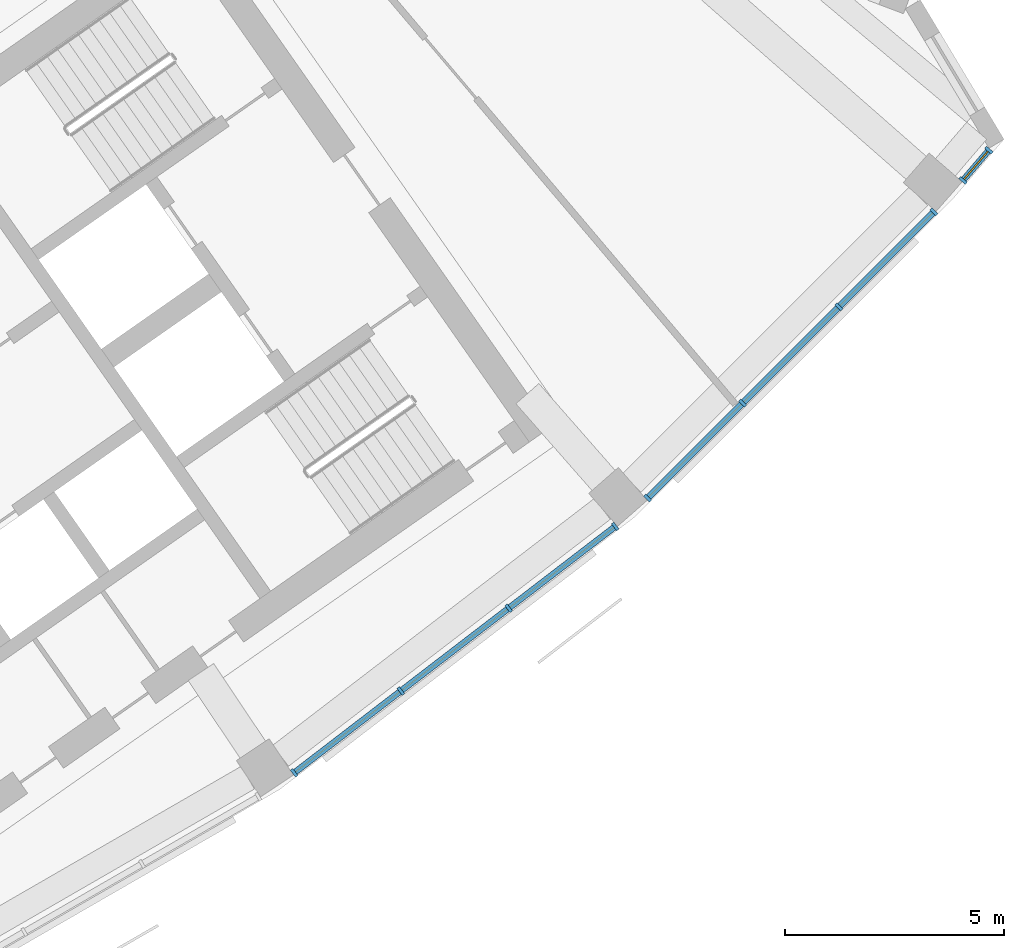
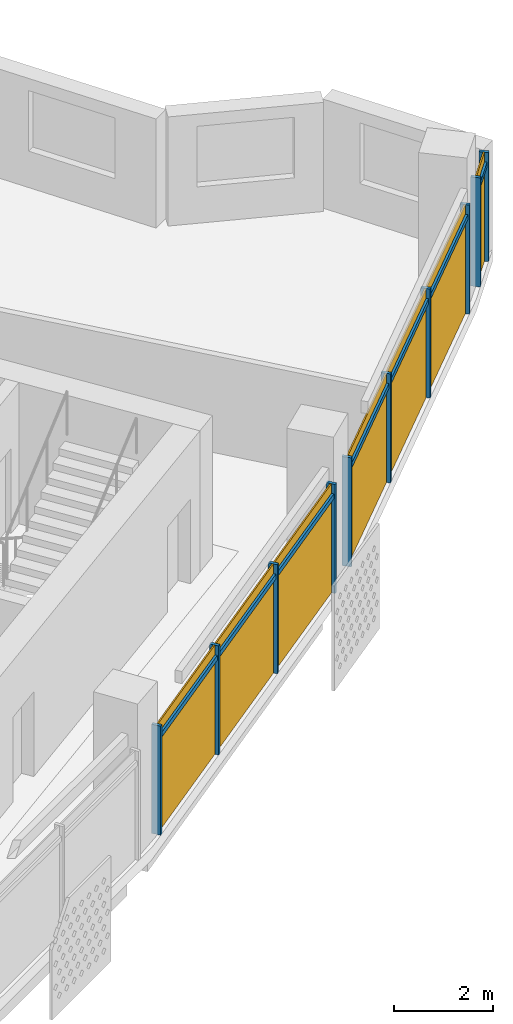
# One storey, part 22 of 29: 17 members, 3 curtain walls.
"""IFC4 building model written with IfcOpenShell, lengths in metres."""

import ifcopenshell
import ifcopenshell.guid

model = None  # the IFC model being written
_history = None  # IfcOwnerHistory: only IFC2X3 demands one
_inside = {}  # id of a spatial element -> (the spatial element, [elements in it])
_under = {}  # id of a project, library or spatial element -> (it, [spatial elements below it])
_declared = {}  # id of a project -> (the project, [libraries it declares])
_typed = {}  # id of a type object -> (the type object, [elements of that type])
_made_of = {}  # id of a material, layer set ... -> (it, [elements and type objects made of it])


def new_model(schema):
    """Start an empty IFC model of exactly this schema.

    Asked for "IFC4X3", IfcOpenShell would pick the latest addendum, in which some entities
    have other attributes; the version numbers below select the first issue.
    IFC2X3 requires an IfcOwnerHistory on every rooted entity: one is made here for all.
    """
    global model, _history
    if schema == "IFC4X3":
        model = ifcopenshell.file(schema_version=(4, 3, 0, 0))
    else:
        model = ifcopenshell.file(schema=schema)
    _inside.clear()
    _under.clear()
    _declared.clear()
    _typed.clear()
    _made_of.clear()
    _history = None
    if model.schema == "IFC2X3":
        org = make("IfcOrganization", Name="unknown")
        user = make(
            "IfcPersonAndOrganization",
            ThePerson=make("IfcPerson", FamilyName="unknown"),
            TheOrganization=org,
        )
        app = make(
            "IfcApplication",
            ApplicationDeveloper=org,
            Version="unknown",
            ApplicationFullName="unknown",
            ApplicationIdentifier="unknown",
        )
        _history = make(
            "IfcOwnerHistory",
            OwningUser=user,
            OwningApplication=app,
            ChangeAction="ADDED",
            CreationDate=0,
        )
    return model


def make(cls, **values):
    """One entity of the class cls with the attributes given. An attribute that is None is left unset."""
    return model.create_entity(
        cls, **{name: value for name, value in values.items() if value is not None}
    )


def rooted(cls, **values):
    """An entity with a GlobalId (a new one), such as an element, a storey or a relation."""
    return make(cls, GlobalId=ifcopenshell.guid.new(), OwnerHistory=_history, **values)


def si_unit(unit_type, name, prefix=None):
    """IfcSIUnit, for example si_unit("LENGTHUNIT", "METRE", prefix="MILLI")."""
    return make("IfcSIUnit", UnitType=unit_type, Prefix=prefix, Name=name)


def assignment(units):
    """IfcUnitAssignment: the units of a project."""
    return None if units is None else make("IfcUnitAssignment", Units=units)


def point(xyz):
    """IfcCartesianPoint."""
    return None if xyz is None else make("IfcCartesianPoint", Coordinates=xyz)


def direction(xyz):
    """IfcDirection."""
    return None if xyz is None else make("IfcDirection", DirectionRatios=xyz)


def frame(location, z_axis=None, x_axis=None):
    """IfcAxis2Placement3D, a coordinate frame: its origin and axes. An axis left out is left unset."""
    return make(
        "IfcAxis2Placement3D",
        Location=point(location),
        Axis=direction(z_axis),
        RefDirection=direction(x_axis),
    )


def frame_2d(location, x_axis=None):
    """IfcAxis2Placement2D, a coordinate frame in the plane: its origin and x axis."""
    return make(
        "IfcAxis2Placement2D", Location=point(location), RefDirection=direction(x_axis)
    )


def origin():
    """The frame at (0, 0, 0) with its axes left unset."""
    return frame((0.0, 0.0, 0.0))


def origin_2d():
    """The frame at (0, 0) in the plane with its x axis left unset."""
    return frame_2d((0.0, 0.0))


def place(relative_to, where):
    """IfcLocalPlacement: puts the frame where relative to a parent placement (None: the world)."""
    return make(
        "IfcLocalPlacement", PlacementRelTo=relative_to, RelativePlacement=where
    )


def context(
    kind, dimensions, precision=None, world=None, true_north=None, identifier=None
):
    """IfcGeometricRepresentationContext, for example the 3D "Model" context."""
    return make(
        "IfcGeometricRepresentationContext",
        ContextIdentifier=identifier,
        ContextType=kind,
        CoordinateSpaceDimension=dimensions,
        Precision=precision,
        WorldCoordinateSystem=world,
        TrueNorth=true_north,
    )


def subcontext(parent, identifier, kind, view, scale=None):
    """IfcGeometricRepresentationSubContext, for example "Body" below "Model"."""
    return make(
        "IfcGeometricRepresentationSubContext",
        ContextIdentifier=identifier,
        ContextType=kind,
        ParentContext=parent,
        TargetScale=scale,
        TargetView=view,
    )


def project(units=None, contexts=None):
    """IfcProject with its units and contexts."""
    return rooted(
        "IfcProject",
        Name="project",
        RepresentationContexts=contexts,
        UnitsInContext=assignment(units),
    )


def spatial(cls, under=None, at=None, **own):
    """A site, building, storey or space (cls), placed at a placement, below another one or the project."""
    s = rooted(cls, ObjectPlacement=at, **own)
    if under is not None:
        _under.setdefault(under.id(), (under, []))[1].append(s)
    return s


def profile(cls, at=None, kind="AREA", **sizes):
    """A parametric profile (cls). Its sizes go by their IFC names, for example OverallWidth=200.0."""
    return make(cls, ProfileType=kind, Position=at, **sizes)


def rectangle(**sizes):
    """IfcRectangleProfileDef."""
    return profile("IfcRectangleProfileDef", **sizes)


def extrude(swept, where, along, depth):
    """IfcExtrudedAreaSolid: the profile swept, set in the frame where, extruded along a direction by depth."""
    return make(
        "IfcExtrudedAreaSolid",
        SweptArea=swept,
        Position=where,
        ExtrudedDirection=direction(along),
        Depth=depth,
    )


def shape(context_of_items, identifier, shape_type, items):
    """IfcShapeRepresentation: the items that make up one representation, for example the "Body"."""
    return make(
        "IfcShapeRepresentation",
        ContextOfItems=context_of_items,
        RepresentationIdentifier=identifier,
        RepresentationType=shape_type,
        Items=items,
    )


def material(Name=None, Category=None):
    """IfcMaterial."""
    return make("IfcMaterial", Name=Name, Category=Category)


def material_profile(
    of_material, cross_section, Name=None, Category=None, Priority=None
):
    """IfcMaterialProfile: a cross section and its material."""
    return make(
        "IfcMaterialProfile",
        Name=Name,
        Material=of_material,
        Profile=cross_section,
        Priority=Priority,
        Category=Category,
    )


def profile_set(profiles, Name=None, composite=None):
    """IfcMaterialProfileSet."""
    return make(
        "IfcMaterialProfileSet",
        Name=Name,
        MaterialProfiles=profiles,
        CompositeProfile=composite,
    )


def made_of(thing, what):
    """Note that an element or type object is made of a material, layer set ...; save() writes the relation."""
    if what is not None:
        _made_of.setdefault(what.id(), (what, []))[1].append(thing)
    return thing


def type_object(cls, material=None, **own):
    """A type object (cls), such as IfcWallType, which elements share."""
    return made_of(rooted(cls, **own), material)


def element(
    cls,
    number,
    at=None,
    inside=None,
    cuts=None,
    type_object=None,
    material=None,
    context=None,
    identifier="Body",
    shape_type=None,
    held_by="IfcProductDefinitionShape",
    body=None,
    shapes=None,
    **own,
):
    """One element of the class cls, such as IfcWall. Its Tag is "e" and its number.

    at: its placement. inside: the storey or other place that contains it. cuts: it is an
    opening in that element (IfcRelVoidsElement). A single representation is given by context,
    identifier, shape_type and body (its items); several are given by shapes. held_by: the class
    of the entity that holds the representations. save() writes the other relations.
    """
    e = rooted(cls, Tag="e%d" % number, ObjectPlacement=at, **own)
    if body is not None:
        shapes = [shape(context, identifier, shape_type, body)]
    if shapes is not None:
        e.Representation = make(held_by, Representations=shapes)
    if inside is not None:
        _inside.setdefault(inside.id(), (inside, []))[1].append(e)
    if cuts is not None:
        rooted(
            "IfcRelVoidsElement", RelatingBuildingElement=cuts, RelatedOpeningElement=e
        )
    if type_object is not None:
        _typed.setdefault(type_object.id(), (type_object, []))[1].append(e)
    return made_of(e, material)


def aggregate(whole, parts):
    """IfcRelAggregates: a whole, such as a stair, and the parts it consists of."""
    return rooted("IfcRelAggregates", RelatingObject=whole, RelatedObjects=parts)


def save(model, path):
    """Write the relations noted so far, then the file.

    IfcRelAggregates (storeys below a building ...), IfcRelContainedInSpatialStructure (elements
    in a storey), IfcRelDefinesByType, IfcRelAssociatesMaterial and IfcRelDeclares: one each for
    every whole, place, type object, material and project.
    """
    for whole, parts in _under.values():
        aggregate(whole, parts)
    for where, things in _inside.values():
        rooted(
            "IfcRelContainedInSpatialStructure",
            RelatedElements=things,
            RelatingStructure=where,
        )
    for kind, things in _typed.values():
        rooted("IfcRelDefinesByType", RelatedObjects=things, RelatingType=kind)
    for what, things in _made_of.values():
        rooted("IfcRelAssociatesMaterial", RelatedObjects=things, RelatingMaterial=what)
    for by, libraries in _declared.values():
        rooted("IfcRelDeclares", RelatingContext=by, RelatedDefinitions=libraries)
    model.write(path)


model = new_model("IFC4")

# Units and contexts
model_context = context("Model", 3, precision=1e-05, world=origin(), true_north=direction((0.0, 1.0)))
body_context = subcontext(model_context, "Body", "Model", "MODEL_VIEW")
ifc_project = project(units=[si_unit("LENGTHUNIT", "METRE"), si_unit("AREAUNIT", "SQUARE_METRE"), si_unit("VOLUMEUNIT", "CUBIC_METRE"), si_unit("PLANEANGLEUNIT", "RADIAN"), si_unit("MASSUNIT", "GRAM", prefix="KILO")], contexts=[model_context])

# Member
ifc_material = material(Name="Aluminium 6063-T6 anodised", Category="aluminium")
ifc_material_profile_1 = material_profile(ifc_material, rectangle(XDim=0.199951171875, YDim=0.070068359375, at=origin_2d()))
ifc_profile_set_1 = profile_set([ifc_material_profile_1], Name="Aluminium 6063-T6 anodised")
member_type_1 = type_object("IfcMemberType", Name="Mullion 70 x 200 aluminium", PredefinedType="MULLION", material=ifc_profile_set_1)
site_placement = place(None, origin())
building_placement = place(site_placement, origin())
storey_placement = place(building_placement, frame((0.0, 0.0, 261.89990234375)))
member_1_placement = place(storey_placement, frame((43.86474609375, -64.761962890625, 0.0), z_axis=(0.0, 0.0, 1.0), x_axis=(-0.608761429009, 0.793353340291, 0.0)))
member_1 = element("IfcMember", 1, at=member_1_placement, type_object=member_type_1, Name="e-cw1-L63-out12/M00", PredefinedType="MULLION", context=body_context, shape_type="SweptSolid", body=[
    extrude(rectangle(XDim=0.199951171875, YDim=0.070068359375, at=origin_2d()), origin(), (0.0, 0.0, 1.0), 2.7001953125),
])

member_2_placement = place(storey_placement, frame((46.30126953125, -62.892333984375, 0.0), z_axis=(0.0, 0.0, 1.0), x_axis=(-0.608761429009, 0.793353340291, 0.0)))
member_2 = element("IfcMember", 2, at=member_2_placement, type_object=member_type_1, Name="e-cw1-L63-out12/M01", PredefinedType="MULLION", context=body_context, shape_type="SweptSolid", body=[
    extrude(rectangle(XDim=0.199951171875, YDim=0.070068359375, at=origin_2d()), origin(), (0.0, 0.0, 1.0), 2.7001953125),
])

member_3_placement = place(storey_placement, frame((48.765625, -61.001220703125, 0.0), z_axis=(0.0, 0.0, 1.0), x_axis=(-0.608761429009, 0.793353340291, 0.0)))
member_3 = element("IfcMember", 3, at=member_3_placement, type_object=member_type_1, Name="e-cw1-L63-out12/M02", PredefinedType="MULLION", context=body_context, shape_type="SweptSolid", body=[
    extrude(rectangle(XDim=0.199951171875, YDim=0.070068359375, at=origin_2d()), origin(), (0.0, 0.0, 1.0), 2.7001953125),
])

member_4_placement = place(storey_placement, frame((51.2021484375, -59.131591796875, 0.0), z_axis=(0.0, 0.0, 1.0), x_axis=(-0.608761429009, 0.793353340291, 0.0)))
member_4 = element("IfcMember", 4, at=member_4_placement, type_object=member_type_1, Name="e-cw1-L63-out12/M03", PredefinedType="MULLION", context=body_context, shape_type="SweptSolid", body=[
    extrude(rectangle(XDim=0.199951171875, YDim=0.070068359375, at=origin_2d()), origin(), (0.0, 0.0, 1.0), 2.7001953125),
])

member_5_placement = place(storey_placement, frame((51.942626953125, -58.482421875, 0.0), z_axis=(0.0, 0.0, 1.0), x_axis=(-0.707106781187, 0.707106781187, 0.0)))
member_5 = element("IfcMember", 5, at=member_5_placement, type_object=member_type_1, Name="e-cw1-L63-out13/M00", PredefinedType="MULLION", context=body_context, shape_type="SweptSolid", body=[
    extrude(rectangle(XDim=0.199951171875, YDim=0.070068359375, at=origin_2d()), origin(), (0.0, 0.0, 1.0), 2.7001953125),
])

member_6_placement = place(storey_placement, frame((54.1142578125, -56.310791015625, 0.0), z_axis=(0.0, 0.0, 1.0), x_axis=(-0.707106781187, 0.707106781187, 0.0)))
member_6 = element("IfcMember", 6, at=member_6_placement, type_object=member_type_1, Name="e-cw1-L63-out13/M01", PredefinedType="MULLION", context=body_context, shape_type="SweptSolid", body=[
    extrude(rectangle(XDim=0.199951171875, YDim=0.070068359375, at=origin_2d()), origin(), (0.0, 0.0, 1.0), 2.7001953125),
])

member_7_placement = place(storey_placement, frame((56.310791015625, -54.1142578125, 0.0), z_axis=(0.0, 0.0, 1.0), x_axis=(-0.707106781187, 0.707106781187, 0.0)))
member_7 = element("IfcMember", 7, at=member_7_placement, type_object=member_type_1, Name="e-cw1-L63-out13/M02", PredefinedType="MULLION", context=body_context, shape_type="SweptSolid", body=[
    extrude(rectangle(XDim=0.199951171875, YDim=0.070068359375, at=origin_2d()), origin(), (0.0, 0.0, 1.0), 2.7001953125),
])

member_8_placement = place(storey_placement, frame((58.482421875, -51.942626953125, 0.0), z_axis=(0.0, 0.0, 1.0), x_axis=(-0.707106781187, 0.707106781187, 0.0)))
member_8 = element("IfcMember", 8, at=member_8_placement, type_object=member_type_1, Name="e-cw1-L63-out13/M03", PredefinedType="MULLION", context=body_context, shape_type="SweptSolid", body=[
    extrude(rectangle(XDim=0.199951171875, YDim=0.070068359375, at=origin_2d()), origin(), (0.0, 0.0, 1.0), 2.7001953125),
])

member_9_placement = place(storey_placement, frame((59.1494140625, -51.22265625, 0.0), z_axis=(0.0, 0.0, 1.0), x_axis=(-0.759421145239, 0.650599357642, 0.0)))
member_9 = element("IfcMember", 9, at=member_9_placement, type_object=member_type_1, Name="e-cw1-L63-out14/M00", PredefinedType="MULLION", context=body_context, shape_type="SweptSolid", body=[
    extrude(rectangle(XDim=0.199951171875, YDim=0.070068359375, at=origin_2d()), origin(), (0.0, 0.0, 1.0), 2.7001953125),
])

member_10_placement = place(storey_placement, frame((59.74072265625, -50.532470703125, 0.0), z_axis=(0.0, 0.0, 1.0), x_axis=(-0.759421145239, 0.650599357642, 0.0)))
member_10 = element("IfcMember", 10, at=member_10_placement, type_object=member_type_1, Name="e-cw1-L63-out14/M01", PredefinedType="MULLION", context=body_context, shape_type="SweptSolid", body=[
    extrude(rectangle(XDim=0.199951171875, YDim=0.070068359375, at=origin_2d()), origin(), (0.0, 0.0, 1.0), 2.7001953125),
])

ifc_material_profile_2 = material_profile(ifc_material, rectangle(XDim=0.139892578125, YDim=0.1201171875, at=origin_2d()))
ifc_profile_set_2 = profile_set([ifc_material_profile_2], Name="Aluminium 6063-T6 anodised")
member_type_2 = type_object("IfcMemberType", Name="Transom 120 x 140 aluminium", PredefinedType="USERDEFINED", material=ifc_profile_set_2)
member_11_placement = place(storey_placement, frame((43.892578125, -64.74072265625, 2.400146484375), z_axis=(0.793312980955, 0.60881402271, 0.0), x_axis=(-0.60881402271, 0.793312980955, 0.0)))
member_11 = element("IfcMember", 11, at=member_11_placement, type_object=member_type_2, Name="e-cw1-L63-out12/T00", ObjectType="TRANSOM", PredefinedType="USERDEFINED", context=body_context, shape_type="SweptSolid", body=[
    extrude(rectangle(XDim=0.139892578125, YDim=0.1201171875, at=origin_2d()), origin(), (0.0, 0.0, 1.0), 3.001220703125),
])

member_12_placement = place(storey_placement, frame((46.3291015625, -62.87109375, 2.400146484375), z_axis=(0.79333190513, 0.608789362836, 0.0), x_axis=(-0.608789362836, 0.79333190513, 0.0)))
member_12 = element("IfcMember", 12, at=member_12_placement, type_object=member_type_2, Name="e-cw1-L63-out12/T01", ObjectType="TRANSOM", PredefinedType="USERDEFINED", context=body_context, shape_type="SweptSolid", body=[
    extrude(rectangle(XDim=0.139892578125, YDim=0.1201171875, at=origin_2d()), origin(), (0.0, 0.0, 1.0), 3.0361328125),
])

member_13_placement = place(storey_placement, frame((48.79345703125, -60.97998046875, 2.400146484375), z_axis=(0.793352271072, 0.60876282244, 0.0), x_axis=(-0.60876282244, 0.793352271072, 0.0)))
member_13 = element("IfcMember", 13, at=member_13_placement, type_object=member_type_2, Name="e-cw1-L63-out12/T02", ObjectType="TRANSOM", PredefinedType="USERDEFINED", context=body_context, shape_type="SweptSolid", body=[
    extrude(rectangle(XDim=0.139892578125, YDim=0.1201171875, at=origin_2d()), origin(), (0.0, 0.0, 1.0), 3.0009765625),
])

member_14_placement = place(storey_placement, frame((51.96728515625, -58.45751953125, 2.400146484375), z_axis=(0.707147453401, 0.707066106633, 0.0), x_axis=(-0.707066106633, 0.707147453401, 0.0)))
member_14 = element("IfcMember", 14, at=member_14_placement, type_object=member_type_2, Name="e-cw1-L63-out13/T00", ObjectType="TRANSOM", PredefinedType="USERDEFINED", context=body_context, shape_type="SweptSolid", body=[
    extrude(rectangle(XDim=0.139892578125, YDim=0.1201171875, at=origin_2d()), origin(), (0.0, 0.0, 1.0), 3.001220703125),
])

member_15_placement = place(storey_placement, frame((54.138916015625, -56.285888671875, 2.400146484375), z_axis=(0.707106781187, 0.707106781187, 0.0), x_axis=(-0.707106781187, 0.707106781187, 0.0)))
member_15 = element("IfcMember", 15, at=member_15_placement, type_object=member_type_2, Name="e-cw1-L63-out13/T01", ObjectType="TRANSOM", PredefinedType="USERDEFINED", context=body_context, shape_type="SweptSolid", body=[
    extrude(rectangle(XDim=0.139892578125, YDim=0.1201171875, at=origin_2d()), origin(), (0.0, 0.0, 1.0), 3.036376953125),
])

member_16_placement = place(storey_placement, frame((56.33544921875, -54.089599609375, 2.400146484375), z_axis=(0.707066106633, 0.707147453401, 0.0), x_axis=(-0.707147453401, 0.707066106633, 0.0)))
member_16 = element("IfcMember", 16, at=member_16_placement, type_object=member_type_2, Name="e-cw1-L63-out13/T02", ObjectType="TRANSOM", PredefinedType="USERDEFINED", context=body_context, shape_type="SweptSolid", body=[
    extrude(rectangle(XDim=0.139892578125, YDim=0.1201171875, at=origin_2d()), origin(), (0.0, 0.0, 1.0), 3.001220703125),
])

member_17_placement = place(storey_placement, frame((59.17236328125, -51.196044921875, 2.400146484375), z_axis=(0.650575601622, 0.759441496479, 0.0), x_axis=(-0.759441496479, 0.650575601622, 0.0)))
member_17 = element("IfcMember", 17, at=member_17_placement, type_object=member_type_2, Name="e-cw1-L63-out14/T00", ObjectType="TRANSOM", PredefinedType="USERDEFINED", context=body_context, shape_type="SweptSolid", body=[
    extrude(rectangle(XDim=0.139892578125, YDim=0.1201171875, at=origin_2d()), origin(), (0.0, 0.0, 1.0), 0.838623046875),
])

# Site, building, storey
site = spatial("IfcSite", under=ifc_project, at=site_placement, CompositionType="ELEMENT")
building = spatial("IfcBuilding", under=site, at=building_placement, Name="Qamariyya Broadcast Tower", CompositionType="ELEMENT")
storey = spatial("IfcBuildingStorey", under=building, at=storey_placement, Name="L63", CompositionType="ELEMENT", Elevation=261.89990234375)

# Curtain wall
curtain_wall_type = type_object("IfcCurtainWallType", Name="Unitised curtain wall, anodised aluminium", PredefinedType="NOTDEFINED", material=ifc_material)
curtain_wall_1_placement = place(storey_placement, origin())
curtain_wall_1 = element("IfcCurtainWall", 18, at=curtain_wall_1_placement, inside=storey, type_object=curtain_wall_type, Name="e-cw1-L63-out12", PredefinedType="NOTDEFINED", context=body_context, shape_type="SweptSolid", body=[
    extrude(rectangle(XDim=3.001220703125, YDim=0.031982421875, at=origin_2d()), frame((45.0830078125, -63.8271484375, 0.0), x_axis=(0.793355818396, 0.608758199466, 0.0)), (0.0, 0.0, 1.0), 2.340087890625),
    extrude(rectangle(XDim=3.001220703125, YDim=0.031982421875, at=origin_2d()), frame((45.0830078125, -63.8271484375, 2.460205078125), x_axis=(0.793355818396, 0.608758199466, 0.0)), (0.0, 0.0, 1.0), 0.239990234375),
    extrude(rectangle(XDim=3.0361328125, YDim=0.031982421875, at=origin_2d()), frame((47.533447265625, -61.94677734375, 0.0), x_axis=(0.793355818396, 0.608758199466, 0.0)), (0.0, 0.0, 1.0), 2.340087890625),
    extrude(rectangle(XDim=3.0361328125, YDim=0.031982421875, at=origin_2d()), frame((47.533447265625, -61.94677734375, 2.460205078125), x_axis=(0.793355818396, 0.608758199466, 0.0)), (0.0, 0.0, 1.0), 0.239990234375),
    extrude(rectangle(XDim=3.001220703125, YDim=0.031982421875, at=origin_2d()), frame((49.98388671875, -60.06640625, 0.0), x_axis=(0.793355818396, 0.608758199466, 0.0)), (0.0, 0.0, 1.0), 2.340087890625),
    extrude(rectangle(XDim=3.001220703125, YDim=0.031982421875, at=origin_2d()), frame((49.98388671875, -60.06640625, 2.460205078125), x_axis=(0.793355818396, 0.608758199466, 0.0)), (0.0, 0.0, 1.0), 0.239990234375),
])

aggregate(curtain_wall_1, [member_1, member_2, member_3, member_4, member_11, member_12, member_13])

curtain_wall_2_placement = place(storey_placement, origin())
curtain_wall_2 = element("IfcCurtainWall", 19, at=curtain_wall_2_placement, inside=storey, type_object=curtain_wall_type, Name="e-cw1-L63-out13", PredefinedType="NOTDEFINED", context=body_context, shape_type="SweptSolid", body=[
    extrude(rectangle(XDim=3.001220703125, YDim=0.031982421875, at=origin_2d()), frame((53.0283203125, -57.396484375, 0.0), x_axis=(0.707106781187, 0.707106781187, 0.0)), (0.0, 0.0, 1.0), 2.340087890625),
    extrude(rectangle(XDim=3.001220703125, YDim=0.031982421875, at=origin_2d()), frame((53.0283203125, -57.396484375, 2.460205078125), x_axis=(0.707106781187, 0.707106781187, 0.0)), (0.0, 0.0, 1.0), 0.239990234375),
    extrude(rectangle(XDim=3.0361328125, YDim=0.031982421875, at=origin_2d()), frame((55.21240234375, -55.21240234375, 0.0), x_axis=(0.707106781187, 0.707106781187, 0.0)), (0.0, 0.0, 1.0), 2.340087890625),
    extrude(rectangle(XDim=3.0361328125, YDim=0.031982421875, at=origin_2d()), frame((55.21240234375, -55.21240234375, 2.460205078125), x_axis=(0.707106781187, 0.707106781187, 0.0)), (0.0, 0.0, 1.0), 0.239990234375),
    extrude(rectangle(XDim=3.001220703125, YDim=0.031982421875, at=origin_2d()), frame((57.396484375, -53.0283203125, 0.0), x_axis=(0.707106781187, 0.707106781187, 0.0)), (0.0, 0.0, 1.0), 2.340087890625),
    extrude(rectangle(XDim=3.001220703125, YDim=0.031982421875, at=origin_2d()), frame((57.396484375, -53.0283203125, 2.460205078125), x_axis=(0.707106781187, 0.707106781187, 0.0)), (0.0, 0.0, 1.0), 0.239990234375),
])

aggregate(curtain_wall_2, [member_5, member_6, member_7, member_8, member_14, member_15, member_16])

curtain_wall_3_placement = place(storey_placement, origin())
curtain_wall_3 = element("IfcCurtainWall", 20, at=curtain_wall_3_placement, inside=storey, type_object=curtain_wall_type, Name="e-cw1-L63-out14", PredefinedType="NOTDEFINED", context=body_context, shape_type="SweptSolid", body=[
    extrude(rectangle(XDim=0.8388671875, YDim=0.031982421875, at=origin_2d()), frame((59.445068359375, -50.87744140625, 0.0), x_axis=(0.65050375294, 0.759503039764, 0.0)), (0.0, 0.0, 1.0), 2.340087890625),
    extrude(rectangle(XDim=0.8388671875, YDim=0.031982421875, at=origin_2d()), frame((59.445068359375, -50.87744140625, 2.460205078125), x_axis=(0.65050375294, 0.759503039764, 0.0)), (0.0, 0.0, 1.0), 0.239990234375),
])

aggregate(curtain_wall_3, [member_9, member_10, member_17])

save(model, "model.ifc")
